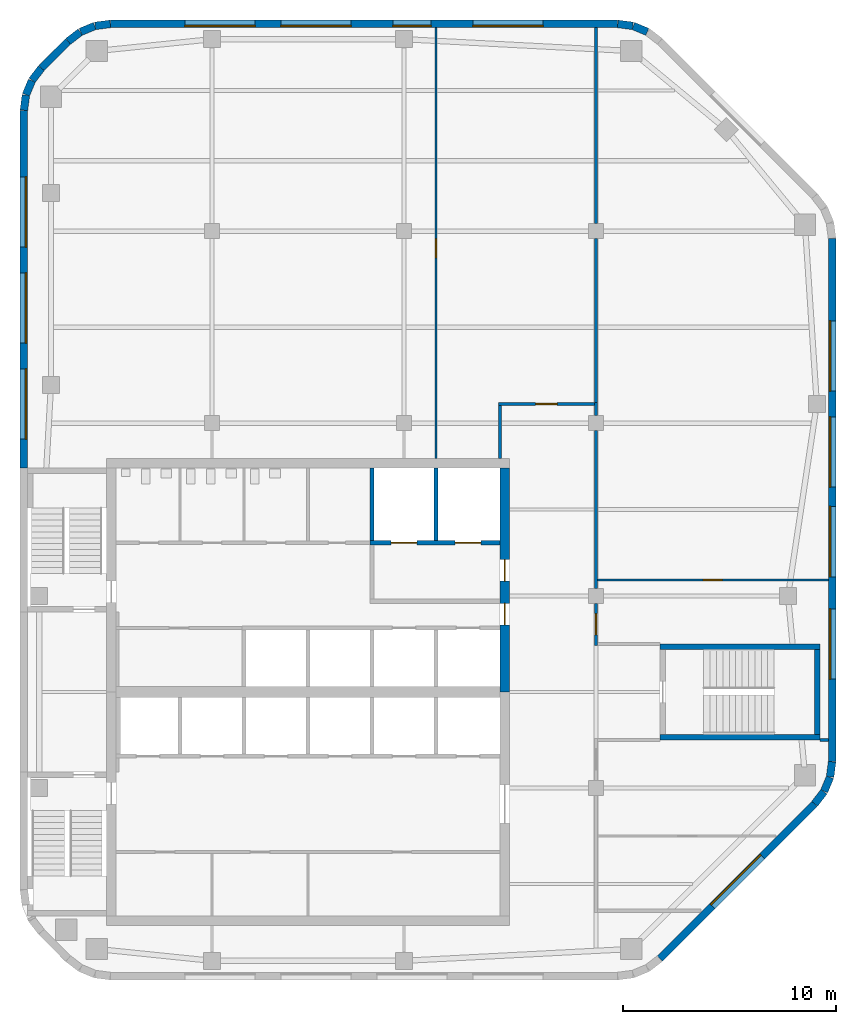
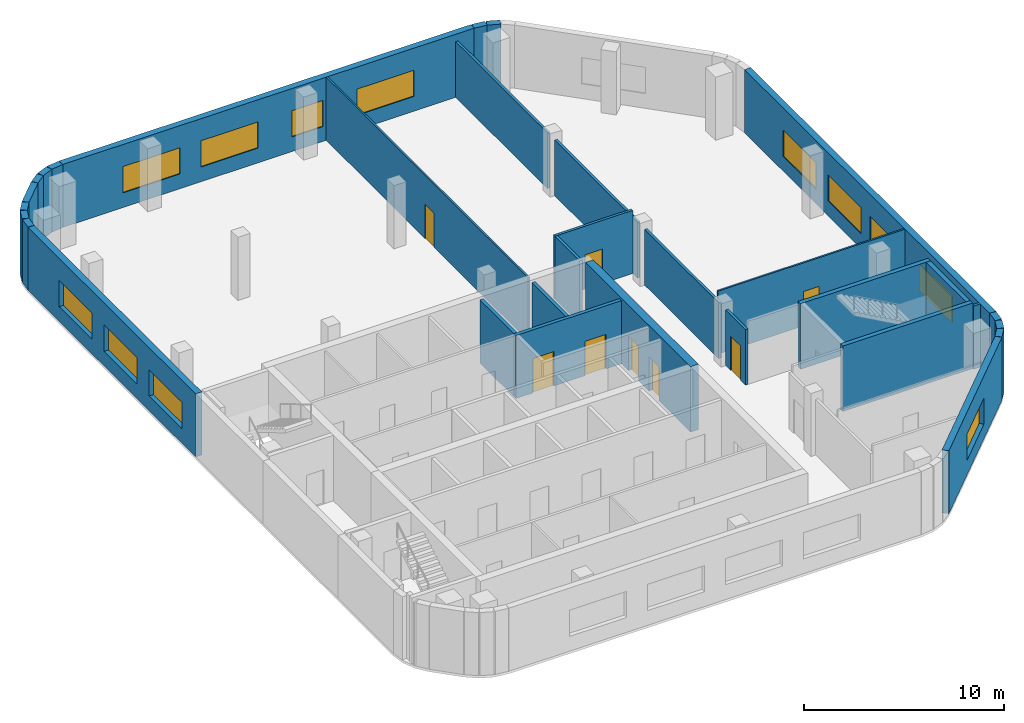
# One storey, part 4 of 7: 33 walls, 12 windows, 8 doors, 20 openings.
"""IFC4 building model written with IfcOpenShell, lengths in metres."""

from ifc_helpers import new_model, si_unit, direction, frame, frame_2d, origin, place, context, subcontext, project, spatial, rectangle, extrude, material, layer, layer_set, type_object, element, fill, save


model = new_model("IFC4")

# Units and contexts
model_context = context("Model", 3, precision=1e-05, world=origin(), true_north=direction((0.0, 1.0)))
body_context = subcontext(model_context, "Body", "Model", "MODEL_VIEW")
ifc_project = project(units=[si_unit("LENGTHUNIT", "METRE"), si_unit("AREAUNIT", "SQUARE_METRE"), si_unit("VOLUMEUNIT", "CUBIC_METRE"), si_unit("PLANEANGLEUNIT", "RADIAN"), si_unit("MASSUNIT", "GRAM", prefix="KILO")], contexts=[model_context])

# Site, building, storey
site_placement = place(None, origin())
site = spatial("IfcSite", under=ifc_project, at=site_placement, CompositionType="ELEMENT")
building_placement = place(site_placement, origin())
building = spatial("IfcBuilding", under=site, at=building_placement, Name="Cinnabar Reach Civic Tower", CompositionType="ELEMENT")
storey_placement = place(building_placement, frame((0.0, 0.0, 255.0)))
storey = spatial("IfcBuildingStorey", under=building, at=storey_placement, Name="L61", CompositionType="ELEMENT", Elevation=255.0)

# Walls
ifc_material_1 = material(Name="Facing brick with insulated backing", Category="masonry")
ifc_layer_1 = layer(ifc_material_1, 0.36)
ifc_layer_set_1 = layer_set([ifc_layer_1], Name="Brick corner wall")
wall_type_1 = type_object("IfcWallType", Name="Brick corner wall", PredefinedType="STANDARD", material=ifc_layer_set_1)
wall_1_placement = place(storey_placement, frame((37.2498, 26.2587, 0.0), z_axis=(0.0, 0.0, 1.0), x_axis=(0.608802368033, 0.793321924995, 0.0)))
element("IfcWall", 1, at=wall_1_placement, inside=storey, type_object=wall_type_1, Name="Brick corner wall", PredefinedType="STANDARD", context=body_context, shape_type="SweptSolid", body=[
    extrude(rectangle(XDim=0.7132, YDim=0.36, at=frame_2d((0.3566, 0.0))), origin(), (0.0, 0.0, 1.0), 3.85),
])
for number, where, z_axis, x_axis, name in (
    (2, (37.6952, 26.8439, 0.0), (0.0, 0.0, 1.0), (0.382702709855, 0.923871547278, 0.0), "Brick corner wall"),
    (3, (37.9739, 27.5244, 0.0), (0.0, 0.0, 1.0), (0.13055608231, 0.99144092581, 0.0), "Brick corner wall"),
    (4, (29.4061, 62.4452, 0.0), (0.0, 0.0, 1.0), (-0.923871547278, 0.382702709855, 0.0), "Brick corner wall"),
    (5, (28.7256, 62.7239, 0.0), (0.0, 0.0, 1.0), (-0.99144092581, 0.13055608231, 0.0), "Brick corner wall"),
    (6, (4.2314, 62.817, 0.0), (0.0, 0.0, 1.0), (-0.99144092581, -0.13055608231, 0.0), "Brick corner wall"),
    (7, (3.5027, 62.7181, 0.0), (0.0, 0.0, 1.0), (-0.923871547278, -0.382702709855, 0.0), "Brick corner wall"),
):
    element("IfcWall", number, at=place(storey_placement, frame(where, z_axis=z_axis, x_axis=x_axis)), inside=storey, type_object=wall_type_1, Name=name, PredefinedType="STANDARD", context=body_context, shape_type="SweptSolid", body=[
        extrude(rectangle(XDim=0.7131, YDim=0.36, at=frame_2d((0.3565, 0.0))), origin(), (0.0, 0.0, 1.0), 3.85),
    ])
for number, where, z_axis, x_axis, name in (
    (8, (2.8245, 62.434, 0.0), (0.0, 0.0, 1.0), (-0.793321924995, -0.608802368033, 0.0), "Brick corner wall"),
    (9, (1.0002, 60.7413, 0.0), (0.0, 0.0, 1.0), (-0.608802368033, -0.793321924995, 0.0), "Brick corner wall"),
):
    element("IfcWall", number, at=place(storey_placement, frame(where, z_axis=z_axis, x_axis=x_axis)), inside=storey, type_object=wall_type_1, Name=name, PredefinedType="STANDARD", context=body_context, shape_type="SweptSolid", body=[
        extrude(rectangle(XDim=0.7132, YDim=0.36, at=frame_2d((0.3566, 0.0))), origin(), (0.0, 0.0, 1.0), 3.85),
    ])
for number, where, z_axis, x_axis, name in (
    (10, (0.5548, 60.1561, 0.0), (0.0, 0.0, 1.0), (-0.382702709855, -0.923871547278, 0.0), "Brick corner wall"),
    (11, (0.2761, 59.4756, 0.0), (0.0, 0.0, 1.0), (-0.13055608231, -0.99144092581, 0.0), "Brick corner wall"),
):
    element("IfcWall", number, at=place(storey_placement, frame(where, z_axis=z_axis, x_axis=x_axis)), inside=storey, type_object=wall_type_1, Name=name, PredefinedType="STANDARD", context=body_context, shape_type="SweptSolid", body=[
        extrude(rectangle(XDim=0.7131, YDim=0.36, at=frame_2d((0.3565, 0.0))), origin(), (0.0, 0.0, 1.0), 3.85),
    ])

# Wall, opening, window
ifc_layer_2 = layer(ifc_material_1, 0.36)
ifc_layer_set_2 = layer_set([ifc_layer_2], Name="Brick pier and spandrel wall")
wall_type_2 = type_object("IfcWallType", Name="Brick pier and spandrel wall", PredefinedType="STANDARD", material=ifc_layer_set_2)
wall_2_placement = place(storey_placement, frame((30.0014, 19.006, 0.0), z_axis=(0.0, 0.0, 1.0), x_axis=(0.707106781187, 0.707106781187, 0.0)))
wall_2 = element("IfcWall", 12, at=wall_2_placement, inside=storey, type_object=wall_type_2, Name="Brick facade wall", PredefinedType="STANDARD", context=body_context, shape_type="SweptSolid", body=[
    extrude(rectangle(XDim=10.2426, YDim=0.36, at=frame_2d((5.1213, 0.0))), origin(), (0.0, 0.0, 1.0), 3.85),
])
opening_1_placement = place(wall_2_placement, frame((3.4713, 0.0, 0.9)))
opening_1 = element("IfcOpeningElement", 13, at=opening_1_placement, cuts=wall_2, Name="Opening W2215", PredefinedType="OPENING", context=body_context, shape_type="SweptSolid", body=[
    extrude(rectangle(XDim=3.3, YDim=1.6, at=frame_2d((1.65, 0.8))), frame((0.0, 0.19, 0.0), z_axis=(0.0, -1.0, 0.0), x_axis=(1.0, 0.0, 0.0)), (0.0, 0.0, 1.0), 0.38),
])
ifc_material_2 = material(Name="Clear double glazing in aluminium frame", Category="aluminium")
window_type_1 = type_object("IfcWindowType", Name="Deep-set window A", PartitioningType="SINGLE_PANEL", PredefinedType="WINDOW", material=ifc_material_2)
window_1_placement = place(opening_1_placement, origin())
window_1 = element("IfcWindow", 14, at=window_1_placement, inside=storey, type_object=window_type_1, Name="Window southeast face", OverallHeight=1.6, OverallWidth=3.3, PartitioningType="SINGLE_PANEL", PredefinedType="WINDOW", context=body_context, shape_type="SweptSolid", body=[
    extrude(rectangle(XDim=3.3, YDim=1.6, at=frame_2d((1.65, 0.8))), frame((0.0, 0.13, 0.0), z_axis=(0.0, -1.0, 0.0), x_axis=(1.0, 0.0, 0.0)), (0.0, 0.0, 1.0), 0.06),
])
fill(opening_1, window_1)

# Wall, openings, windows
wall_3_placement = place(storey_placement, frame((38.07, 28.2426, 0.0), z_axis=(0.0, 0.0, 1.0), x_axis=(0.0, 1.0, 0.0)))
wall_3 = element("IfcWall", 15, at=wall_3_placement, inside=storey, type_object=wall_type_2, Name="Brick facade wall", PredefinedType="STANDARD", context=body_context, shape_type="SweptSolid", body=[
    extrude(rectangle(XDim=24.5148, YDim=0.36, at=frame_2d((12.2574, 0.0))), origin(), (0.0, 0.0, 1.0), 3.85),
])
opening_2_placement = place(wall_3_placement, frame((3.8574, 0.0, 0.9)))
opening_2 = element("IfcOpeningElement", 16, at=opening_2_placement, cuts=wall_3, Name="Opening W2216", PredefinedType="OPENING", context=body_context, shape_type="SweptSolid", body=[
    extrude(rectangle(XDim=3.3, YDim=1.6, at=frame_2d((1.65, 0.8))), frame((0.0, 0.19, 0.0), z_axis=(0.0, -1.0, 0.0), x_axis=(1.0, 0.0, 0.0)), (0.0, 0.0, 1.0), 0.38),
])
opening_3_placement = place(wall_3_placement, frame((8.6574, 0.0, 0.9)))
opening_3 = element("IfcOpeningElement", 17, at=opening_3_placement, cuts=wall_3, Name="Opening W2217", PredefinedType="OPENING", context=body_context, shape_type="SweptSolid", body=[
    extrude(rectangle(XDim=3.3, YDim=1.6, at=frame_2d((1.65, 0.8))), frame((0.0, 0.19, 0.0), z_axis=(0.0, -1.0, 0.0), x_axis=(1.0, 0.0, 0.0)), (0.0, 0.0, 1.0), 0.38),
])
opening_4_placement = place(wall_3_placement, frame((12.8574, 0.0, 0.9)))
opening_4 = element("IfcOpeningElement", 18, at=opening_4_placement, cuts=wall_3, Name="Opening W2218", PredefinedType="OPENING", context=body_context, shape_type="SweptSolid", body=[
    extrude(rectangle(XDim=3.3, YDim=1.6, at=frame_2d((1.65, 0.8))), frame((0.0, 0.19, 0.0), z_axis=(0.0, -1.0, 0.0), x_axis=(1.0, 0.0, 0.0)), (0.0, 0.0, 1.0), 0.38),
])
opening_5_placement = place(wall_3_placement, frame((17.3574, 0.0, 0.9)))
opening_5 = element("IfcOpeningElement", 19, at=opening_5_placement, cuts=wall_3, Name="Opening W2219", PredefinedType="OPENING", context=body_context, shape_type="SweptSolid", body=[
    extrude(rectangle(XDim=3.3, YDim=1.6, at=frame_2d((1.65, 0.8))), frame((0.0, 0.19, 0.0), z_axis=(0.0, -1.0, 0.0), x_axis=(1.0, 0.0, 0.0)), (0.0, 0.0, 1.0), 0.38),
])
window_2_placement = place(opening_2_placement, origin())
window_2 = element("IfcWindow", 20, at=window_2_placement, inside=storey, type_object=window_type_1, Name="Window east face", OverallHeight=1.6, OverallWidth=3.3, PartitioningType="SINGLE_PANEL", PredefinedType="WINDOW", context=body_context, shape_type="SweptSolid", body=[
    extrude(rectangle(XDim=3.3, YDim=1.6, at=frame_2d((1.65, 0.8))), frame((0.0, 0.13, 0.0), z_axis=(0.0, -1.0, 0.0), x_axis=(1.0, 0.0, 0.0)), (0.0, 0.0, 1.0), 0.06),
])
fill(opening_2, window_2)
window_3_placement = place(opening_3_placement, origin())
window_3 = element("IfcWindow", 21, at=window_3_placement, inside=storey, type_object=window_type_1, Name="Window east face", OverallHeight=1.6, OverallWidth=3.3, PartitioningType="SINGLE_PANEL", PredefinedType="WINDOW", context=body_context, shape_type="SweptSolid", body=[
    extrude(rectangle(XDim=3.3, YDim=1.6, at=frame_2d((1.65, 0.8))), frame((0.0, 0.13, 0.0), z_axis=(0.0, -1.0, 0.0), x_axis=(1.0, 0.0, 0.0)), (0.0, 0.0, 1.0), 0.06),
])
fill(opening_3, window_3)
window_4_placement = place(opening_4_placement, origin())
window_4 = element("IfcWindow", 22, at=window_4_placement, inside=storey, type_object=window_type_1, Name="Window east face", OverallHeight=1.6, OverallWidth=3.3, PartitioningType="SINGLE_PANEL", PredefinedType="WINDOW", context=body_context, shape_type="SweptSolid", body=[
    extrude(rectangle(XDim=3.3, YDim=1.6, at=frame_2d((1.65, 0.8))), frame((0.0, 0.13, 0.0), z_axis=(0.0, -1.0, 0.0), x_axis=(1.0, 0.0, 0.0)), (0.0, 0.0, 1.0), 0.06),
])
fill(opening_4, window_4)
window_5_placement = place(opening_5_placement, origin())
window_5 = element("IfcWindow", 23, at=window_5_placement, inside=storey, type_object=window_type_1, Name="Window east face", OverallHeight=1.6, OverallWidth=3.3, PartitioningType="SINGLE_PANEL", PredefinedType="WINDOW", context=body_context, shape_type="SweptSolid", body=[
    extrude(rectangle(XDim=3.3, YDim=1.6, at=frame_2d((1.65, 0.8))), frame((0.0, 0.13, 0.0), z_axis=(0.0, -1.0, 0.0), x_axis=(1.0, 0.0, 0.0)), (0.0, 0.0, 1.0), 0.06),
])
fill(opening_5, window_5)

wall_4_placement = place(storey_placement, frame((28.0074, 62.82, 0.0), z_axis=(0.0, 0.0, 1.0), x_axis=(-1.0, 0.0, 0.0)))
wall_4 = element("IfcWall", 24, at=wall_4_placement, inside=storey, type_object=wall_type_2, Name="Brick facade wall", PredefinedType="STANDARD", context=body_context, shape_type="SweptSolid", body=[
    extrude(rectangle(XDim=23.7648, YDim=0.36, at=frame_2d((11.8824, 0.0))), origin(), (0.0, 0.0, 1.0), 3.85),
])
opening_6_placement = place(wall_4_placement, frame((3.4824, 0.0, 0.9)))
opening_6 = element("IfcOpeningElement", 25, at=opening_6_placement, cuts=wall_4, Name="Opening W2221", PredefinedType="OPENING", context=body_context, shape_type="SweptSolid", body=[
    extrude(rectangle(XDim=3.3, YDim=1.6, at=frame_2d((1.65, 0.8))), frame((0.0, 0.19, 0.0), z_axis=(0.0, -1.0, 0.0), x_axis=(1.0, 0.0, 0.0)), (0.0, 0.0, 1.0), 0.38),
])
opening_7_placement = place(wall_4_placement, frame((8.7324, 0.0, 0.9)))
opening_7 = element("IfcOpeningElement", 26, at=opening_7_placement, cuts=wall_4, Name="Opening W2222", PredefinedType="OPENING", context=body_context, shape_type="SweptSolid", body=[
    extrude(rectangle(XDim=1.8, YDim=1.6, at=frame_2d((0.9, 0.8))), frame((0.0, 0.19, 0.0), z_axis=(0.0, -1.0, 0.0), x_axis=(1.0, 0.0, 0.0)), (0.0, 0.0, 1.0), 0.38),
])
opening_8_placement = place(wall_4_placement, frame((12.4824, 0.0, 0.9)))
opening_8 = element("IfcOpeningElement", 27, at=opening_8_placement, cuts=wall_4, Name="Opening W2223", PredefinedType="OPENING", context=body_context, shape_type="SweptSolid", body=[
    extrude(rectangle(XDim=3.3, YDim=1.6, at=frame_2d((1.65, 0.8))), frame((0.0, 0.19, 0.0), z_axis=(0.0, -1.0, 0.0), x_axis=(1.0, 0.0, 0.0)), (0.0, 0.0, 1.0), 0.38),
])
opening_9_placement = place(wall_4_placement, frame((16.9824, 0.0, 0.9)))
opening_9 = element("IfcOpeningElement", 28, at=opening_9_placement, cuts=wall_4, Name="Opening W2224", PredefinedType="OPENING", context=body_context, shape_type="SweptSolid", body=[
    extrude(rectangle(XDim=3.3, YDim=1.6, at=frame_2d((1.65, 0.8))), frame((0.0, 0.19, 0.0), z_axis=(0.0, -1.0, 0.0), x_axis=(1.0, 0.0, 0.0)), (0.0, 0.0, 1.0), 0.38),
])
window_6_placement = place(opening_6_placement, origin())
window_6 = element("IfcWindow", 29, at=window_6_placement, inside=storey, type_object=window_type_1, Name="Window north face", OverallHeight=1.6, OverallWidth=3.3, PartitioningType="SINGLE_PANEL", PredefinedType="WINDOW", context=body_context, shape_type="SweptSolid", body=[
    extrude(rectangle(XDim=3.3, YDim=1.6, at=frame_2d((1.65, 0.8))), frame((0.0, 0.13, 0.0), z_axis=(0.0, -1.0, 0.0), x_axis=(1.0, 0.0, 0.0)), (0.0, 0.0, 1.0), 0.06),
])
fill(opening_6, window_6)
window_7_placement = place(opening_8_placement, origin())
window_7 = element("IfcWindow", 30, at=window_7_placement, inside=storey, type_object=window_type_1, Name="Window north face", OverallHeight=1.6, OverallWidth=3.3, PartitioningType="SINGLE_PANEL", PredefinedType="WINDOW", context=body_context, shape_type="SweptSolid", body=[
    extrude(rectangle(XDim=3.3, YDim=1.6, at=frame_2d((1.65, 0.8))), frame((0.0, 0.13, 0.0), z_axis=(0.0, -1.0, 0.0), x_axis=(1.0, 0.0, 0.0)), (0.0, 0.0, 1.0), 0.06),
])
fill(opening_8, window_7)
window_8_placement = place(opening_9_placement, origin())
window_8 = element("IfcWindow", 31, at=window_8_placement, inside=storey, type_object=window_type_1, Name="Window north face", OverallHeight=1.6, OverallWidth=3.3, PartitioningType="SINGLE_PANEL", PredefinedType="WINDOW", context=body_context, shape_type="SweptSolid", body=[
    extrude(rectangle(XDim=3.3, YDim=1.6, at=frame_2d((1.65, 0.8))), frame((0.0, 0.13, 0.0), z_axis=(0.0, -1.0, 0.0), x_axis=(1.0, 0.0, 0.0)), (0.0, 0.0, 1.0), 0.06),
])
fill(opening_9, window_8)
window_type_2 = type_object("IfcWindowType", Name="Deep-set window D", PartitioningType="SINGLE_PANEL", PredefinedType="WINDOW", material=ifc_material_2)
window_9_placement = place(opening_7_placement, origin())
window_9 = element("IfcWindow", 32, at=window_9_placement, inside=storey, type_object=window_type_2, Name="Window north face", OverallHeight=1.6, OverallWidth=1.8, PartitioningType="SINGLE_PANEL", PredefinedType="WINDOW", context=body_context, shape_type="SweptSolid", body=[
    extrude(rectangle(XDim=1.8, YDim=1.6, at=frame_2d((0.9, 0.8))), frame((0.0, 0.13, 0.0), z_axis=(0.0, -1.0, 0.0), x_axis=(1.0, 0.0, 0.0)), (0.0, 0.0, 1.0), 0.06),
])
fill(opening_7, window_9)

# Wall
wall_5_placement = place(storey_placement, frame((2.2486, 61.994, 0.0), z_axis=(0.0, 0.0, 1.0), x_axis=(-0.707106781187, -0.707106781187, 0.0)))
element("IfcWall", 33, at=wall_5_placement, inside=storey, type_object=wall_type_2, Name="Brick facade wall", PredefinedType="STANDARD", context=body_context, shape_type="SweptSolid", body=[
    extrude(rectangle(XDim=1.7573, YDim=0.36, at=frame_2d((0.8787, 0.0))), origin(), (0.0, 0.0, 1.0), 3.85),
])

# Wall, openings, windows
wall_6_placement = place(storey_placement, frame((0.18, 58.7574, 0.0), z_axis=(0.0, 0.0, 1.0), x_axis=(0.0, -1.0, 0.0)))
wall_6 = element("IfcWall", 34, at=wall_6_placement, inside=storey, type_object=wall_type_2, Name="Brick facade wall", PredefinedType="STANDARD", context=body_context, shape_type="SweptSolid", body=[
    extrude(rectangle(XDim=16.7574, YDim=0.36, at=frame_2d((8.3787, 0.0))), origin(), (0.0, 0.0, 1.0), 3.85),
])
opening_10_placement = place(wall_6_placement, frame((3.1074, 0.0, 0.9)))
opening_10 = element("IfcOpeningElement", 35, at=opening_10_placement, cuts=wall_6, Name="Opening W2225", PredefinedType="OPENING", context=body_context, shape_type="SweptSolid", body=[
    extrude(rectangle(XDim=3.3, YDim=1.6, at=frame_2d((1.65, 0.8))), frame((0.0, 0.19, 0.0), z_axis=(0.0, -1.0, 0.0), x_axis=(1.0, 0.0, 0.0)), (0.0, 0.0, 1.0), 0.38),
])
opening_11_placement = place(wall_6_placement, frame((7.6074, 0.0, 0.9)))
opening_11 = element("IfcOpeningElement", 36, at=opening_11_placement, cuts=wall_6, Name="Opening W2226", PredefinedType="OPENING", context=body_context, shape_type="SweptSolid", body=[
    extrude(rectangle(XDim=3.3, YDim=1.6, at=frame_2d((1.65, 0.8))), frame((0.0, 0.19, 0.0), z_axis=(0.0, -1.0, 0.0), x_axis=(1.0, 0.0, 0.0)), (0.0, 0.0, 1.0), 0.38),
])
opening_12_placement = place(wall_6_placement, frame((12.1074, 0.0, 0.9)))
opening_12 = element("IfcOpeningElement", 37, at=opening_12_placement, cuts=wall_6, Name="Opening W2227", PredefinedType="OPENING", context=body_context, shape_type="SweptSolid", body=[
    extrude(rectangle(XDim=3.3, YDim=1.6, at=frame_2d((1.65, 0.8))), frame((0.0, 0.19, 0.0), z_axis=(0.0, -1.0, 0.0), x_axis=(1.0, 0.0, 0.0)), (0.0, 0.0, 1.0), 0.38),
])
window_10_placement = place(opening_10_placement, origin())
window_10 = element("IfcWindow", 38, at=window_10_placement, inside=storey, type_object=window_type_1, Name="Window west face", OverallHeight=1.6, OverallWidth=3.3, PartitioningType="SINGLE_PANEL", PredefinedType="WINDOW", context=body_context, shape_type="SweptSolid", body=[
    extrude(rectangle(XDim=3.3, YDim=1.6, at=frame_2d((1.65, 0.8))), frame((0.0, 0.13, 0.0), z_axis=(0.0, -1.0, 0.0), x_axis=(1.0, 0.0, 0.0)), (0.0, 0.0, 1.0), 0.06),
])
fill(opening_10, window_10)
window_11_placement = place(opening_11_placement, origin())
window_11 = element("IfcWindow", 39, at=window_11_placement, inside=storey, type_object=window_type_1, Name="Window west face", OverallHeight=1.6, OverallWidth=3.3, PartitioningType="SINGLE_PANEL", PredefinedType="WINDOW", context=body_context, shape_type="SweptSolid", body=[
    extrude(rectangle(XDim=3.3, YDim=1.6, at=frame_2d((1.65, 0.8))), frame((0.0, 0.13, 0.0), z_axis=(0.0, -1.0, 0.0), x_axis=(1.0, 0.0, 0.0)), (0.0, 0.0, 1.0), 0.06),
])
fill(opening_11, window_11)
window_12_placement = place(opening_12_placement, origin())
window_12 = element("IfcWindow", 40, at=window_12_placement, inside=storey, type_object=window_type_1, Name="Window west face", OverallHeight=1.6, OverallWidth=3.3, PartitioningType="SINGLE_PANEL", PredefinedType="WINDOW", context=body_context, shape_type="SweptSolid", body=[
    extrude(rectangle(XDim=3.3, YDim=1.6, at=frame_2d((1.65, 0.8))), frame((0.0, 0.13, 0.0), z_axis=(0.0, -1.0, 0.0), x_axis=(1.0, 0.0, 0.0)), (0.0, 0.0, 1.0), 0.06),
])
fill(opening_12, window_12)

# Wall, openings, doors
ifc_material_3 = material(Name="Concrete C60", Category="concrete")
ifc_layer_3 = layer(ifc_material_3, 0.45)
ifc_layer_set_3 = layer_set([ifc_layer_3], Name="Core wall 450 EI 180")
wall_type_3 = type_object("IfcWallType", Name="Core wall 450 EI 180", PredefinedType="SOLIDWALL", material=ifc_layer_set_3)
wall_7_placement = place(storey_placement, frame((22.725, 31.5, 0.0), z_axis=(0.0, 0.0, 1.0), x_axis=(0.0, 1.0, 0.0)))
wall_7 = element("IfcWall", 41, at=wall_7_placement, inside=storey, type_object=wall_type_3, Name="Core wall T1 L61 E2", PredefinedType="SOLIDWALL", context=body_context, shape_type="SweptSolid", body=[
    extrude(rectangle(XDim=10.5, YDim=0.45, at=frame_2d((5.25, 0.0))), origin(), (0.0, 0.0, 1.0), 4.0),
])
opening_13_placement = place(wall_7_placement, frame((3.15, 0.0, 0.0)))
opening_13 = element("IfcOpeningElement", 42, at=opening_13_placement, cuts=wall_7, Name="Opening D5457", PredefinedType="OPENING", context=body_context, shape_type="SweptSolid", body=[
    extrude(rectangle(XDim=1.0, YDim=2.1, at=frame_2d((0.5, 1.05))), frame((0.0, 0.235, 0.0), z_axis=(0.0, -1.0, 0.0), x_axis=(1.0, 0.0, 0.0)), (0.0, 0.0, 1.0), 0.47),
])
opening_14_placement = place(wall_7_placement, frame((5.2, 0.0, 0.0)))
opening_14 = element("IfcOpeningElement", 43, at=opening_14_placement, cuts=wall_7, Name="Opening D5458", PredefinedType="OPENING", context=body_context, shape_type="SweptSolid", body=[
    extrude(rectangle(XDim=1.0, YDim=2.1, at=frame_2d((0.5, 1.05))), frame((0.0, 0.235, 0.0), z_axis=(0.0, -1.0, 0.0), x_axis=(1.0, 0.0, 0.0)), (0.0, 0.0, 1.0), 0.47),
])
ifc_material_4 = material(Name="Timber door leaf in steel frame", Category="steel")
door_type_1 = type_object("IfcDoorType", Name="Firefighting lobby door 1000 x 2100 T1", OperationType="SINGLE_SWING_LEFT", PredefinedType="DOOR", material=ifc_material_4)
door_1_placement = place(opening_14_placement, origin())
door_1 = element("IfcDoor", 44, at=door_1_placement, inside=storey, type_object=door_type_1, Name="Door D5458", OperationType="SINGLE_SWING_RIGHT", OverallHeight=2.1, OverallWidth=1.0, PredefinedType="DOOR", context=body_context, shape_type="SweptSolid", body=[
    extrude(rectangle(XDim=1.0, YDim=2.1, at=frame_2d((0.5, 1.05))), frame((0.0, 0.025, 0.0), z_axis=(0.0, -1.0, 0.0), x_axis=(1.0, 0.0, 0.0)), (0.0, 0.0, 1.0), 0.05),
])
fill(opening_14, door_1)
door_type_2 = type_object("IfcDoorType", Name="Single swing door 1000 x 2100 T1", OperationType="SINGLE_SWING_LEFT", PredefinedType="DOOR", material=ifc_material_4)
door_2_placement = place(opening_13_placement, origin())
door_2 = element("IfcDoor", 45, at=door_2_placement, inside=storey, type_object=door_type_2, Name="Door D5457", OperationType="SINGLE_SWING_RIGHT", OverallHeight=2.1, OverallWidth=1.0, PredefinedType="DOOR", context=body_context, shape_type="SweptSolid", body=[
    extrude(rectangle(XDim=1.0, YDim=2.1, at=frame_2d((0.5, 1.05))), frame((0.0, 0.025, 0.0), z_axis=(0.0, -1.0, 0.0), x_axis=(1.0, 0.0, 0.0)), (0.0, 0.0, 1.0), 0.05),
])
fill(opening_13, door_2)

# Wall, opening, door
ifc_material_5 = material(Name="Gypsum board on steel studs, double layer", Category="steel")
ifc_layer_4 = layer(ifc_material_5, 0.15)
ifc_layer_set_4 = layer_set([ifc_layer_4], Name="Corridor wall 150 T1")
wall_type_4 = type_object("IfcWallType", Name="Corridor wall 150 T1", PredefinedType="PARTITIONING", material=ifc_layer_set_4)
wall_8_placement = place(storey_placement, frame((27.0, 33.675, 0.0), z_axis=(0.0, 0.0, 1.0), x_axis=(0.0, 1.0, 0.0)))
wall_8 = element("IfcWall", 46, at=wall_8_placement, inside=storey, type_object=wall_type_4, Name="Corridor wall 20", PredefinedType="PARTITIONING", context=body_context, shape_type="SweptSolid", body=[
    extrude(rectangle(XDim=1.975, YDim=0.15, at=frame_2d((0.9875, 0.0))), origin(), (0.0, 0.0, 1.0), 3.4),
])
opening_15_placement = place(wall_8_placement, frame((0.5, 0.0, 0.0)))
opening_15 = element("IfcOpeningElement", 47, at=opening_15_placement, cuts=wall_8, Name="Opening D5468", PredefinedType="OPENING", context=body_context, shape_type="SweptSolid", body=[
    extrude(rectangle(XDim=1.0, YDim=2.1, at=frame_2d((0.5, 1.05))), frame((0.0, 0.085, 0.0), z_axis=(0.0, -1.0, 0.0), x_axis=(1.0, 0.0, 0.0)), (0.0, 0.0, 1.0), 0.17),
])
door_type_3 = type_object("IfcDoorType", Name="Tenancy entrance door 1000 x 2100 T1", OperationType="SINGLE_SWING_LEFT", PredefinedType="DOOR", material=ifc_material_4)
door_3_placement = place(opening_15_placement, frame((1.0, 0.0, 0.0), z_axis=(0.0, 0.0, 1.0), x_axis=(-1.0, 0.0, 0.0)))
door_3 = element("IfcDoor", 48, at=door_3_placement, inside=storey, type_object=door_type_3, Name="Door D5468", OperationType="SINGLE_SWING_RIGHT", OverallHeight=2.1, OverallWidth=1.0, PredefinedType="DOOR", context=body_context, shape_type="SweptSolid", body=[
    extrude(rectangle(XDim=1.0, YDim=2.1, at=frame_2d((0.5, 1.05))), frame((0.0, 0.025, 0.0), z_axis=(0.0, -1.0, 0.0), x_axis=(1.0, 0.0, 0.0)), (0.0, 0.0, 1.0), 0.05),
])
fill(opening_15, door_3)

# Walls
wall_9_placement = place(storey_placement, frame((27.0, 36.35, 0.0), z_axis=(0.0, 0.0, 1.0), x_axis=(0.0, 1.0, 0.0)))
element("IfcWall", 49, at=wall_9_placement, inside=storey, type_object=wall_type_4, Name="Corridor wall 21", PredefinedType="PARTITIONING", context=body_context, shape_type="SweptSolid", body=[
    extrude(rectangle(XDim=7.4, YDim=0.15, at=frame_2d((3.7, 0.0))), origin(), (0.0, 0.0, 1.0), 3.4),
])
wall_10_placement = place(storey_placement, frame((27.0, 44.45, 0.0), z_axis=(0.0, 0.0, 1.0), x_axis=(0.0, 1.0, 0.0)))
element("IfcWall", 50, at=wall_10_placement, inside=storey, type_object=wall_type_4, Name="Corridor wall 22", PredefinedType="PARTITIONING", context=body_context, shape_type="SweptSolid", body=[
    extrude(rectangle(XDim=0.625, YDim=0.15, at=frame_2d((0.3125, 0.0))), origin(), (0.0, 0.0, 1.0), 3.4),
])

# Wall, opening, door
wall_11_placement = place(storey_placement, frame((22.425, 45.0, 0.0), z_axis=(0.0, 0.0, 1.0), x_axis=(1.0, 0.0, 0.0)))
wall_11 = element("IfcWall", 51, at=wall_11_placement, inside=storey, type_object=wall_type_4, Name="Corridor wall 27", PredefinedType="PARTITIONING", context=body_context, shape_type="SweptSolid", body=[
    extrude(rectangle(XDim=4.5, YDim=0.15, at=frame_2d((2.25, 0.0))), origin(), (0.0, 0.0, 1.0), 3.85),
])
opening_16_placement = place(wall_11_placement, frame((1.75, 0.0, 0.0)))
opening_16 = element("IfcOpeningElement", 52, at=opening_16_placement, cuts=wall_11, Name="Opening D5472", PredefinedType="OPENING", context=body_context, shape_type="SweptSolid", body=[
    extrude(rectangle(XDim=1.0, YDim=2.1, at=frame_2d((0.5, 1.05))), frame((0.0, 0.085, 0.0), z_axis=(0.0, -1.0, 0.0), x_axis=(1.0, 0.0, 0.0)), (0.0, 0.0, 1.0), 0.17),
])
door_4_placement = place(opening_16_placement, origin())
door_4 = element("IfcDoor", 53, at=door_4_placement, inside=storey, type_object=door_type_3, Name="Door D5472", OperationType="SINGLE_SWING_RIGHT", OverallHeight=2.1, OverallWidth=1.0, PredefinedType="DOOR", context=body_context, shape_type="SweptSolid", body=[
    extrude(rectangle(XDim=1.0, YDim=2.1, at=frame_2d((0.5, 1.05))), frame((0.0, 0.025, 0.0), z_axis=(0.0, -1.0, 0.0), x_axis=(1.0, 0.0, 0.0)), (0.0, 0.0, 1.0), 0.05),
])
fill(opening_16, door_4)

# Walls
wall_12_placement = place(storey_placement, frame((22.5, 42.45, 0.0), z_axis=(0.0, 0.0, 1.0), x_axis=(0.0, 1.0, 0.0)))
element("IfcWall", 54, at=wall_12_placement, inside=storey, type_object=wall_type_4, Name="Corridor wall 32", PredefinedType="PARTITIONING", context=body_context, shape_type="SweptSolid", body=[
    extrude(rectangle(XDim=2.475, YDim=0.15, at=frame_2d((1.2375, 0.0))), origin(), (0.0, 0.0, 1.0), 3.85),
])
ifc_material_6 = material(Name="Blockwork", Category="masonry")
ifc_layer_5 = layer(ifc_material_6, 0.2)
ifc_layer_set_5 = layer_set([ifc_layer_5], Name="Lift shaft wall 200 T1")
wall_type_5 = type_object("IfcWallType", Name="Lift shaft wall 200 T1", PredefinedType="PARTITIONING", material=ifc_layer_set_5)
for number, where, z_axis, x_axis, name in (
    (55, (16.5, 38.6, 0.0), (0.0, 0.0, 1.0), (0.0, 1.0, 0.0), "Lift shaft wall 14"),
    (56, (19.5, 38.6, 0.0), (0.0, 0.0, 1.0), (0.0, 1.0, 0.0), "Lift shaft wall 15"),
):
    element("IfcWall", number, at=place(storey_placement, frame(where, z_axis=z_axis, x_axis=x_axis)), inside=storey, type_object=wall_type_5, Name=name, PredefinedType="PARTITIONING", context=body_context, shape_type="SweptSolid", body=[
        extrude(rectangle(XDim=3.4, YDim=0.2, at=frame_2d((1.7, 0.0))), origin(), (0.0, 0.0, 1.0), 3.85),
    ])

# Wall, opening, door
ifc_material_7 = material(Name="Gypsum board on steel studs", Category="steel")
ifc_layer_6 = layer(ifc_material_7, 0.1)
ifc_layer_set_6 = layer_set([ifc_layer_6], Name="Partition wall 100 T1")
wall_type_6 = type_object("IfcWallType", Name="Partition wall 100 T1", PredefinedType="PARTITIONING", material=ifc_layer_set_6)
wall_13_placement = place(storey_placement, frame((19.5, 42.45, 0.0), z_axis=(0.0, 0.0, 1.0), x_axis=(0.0, 1.0, 0.0)))
wall_13 = element("IfcWall", 57, at=wall_13_placement, inside=storey, type_object=wall_type_6, Name="Partition wall 38", PredefinedType="PARTITIONING", context=body_context, shape_type="SweptSolid", body=[
    extrude(rectangle(XDim=20.19, YDim=0.1, at=frame_2d((10.095, 0.0))), origin(), (0.0, 0.0, 1.0), 3.85),
])
opening_17_placement = place(wall_13_placement, frame((9.4, 0.0, 0.0)))
opening_17 = element("IfcOpeningElement", 58, at=opening_17_placement, cuts=wall_13, Name="Opening D5473", PredefinedType="OPENING", context=body_context, shape_type="SweptSolid", body=[
    extrude(rectangle(XDim=0.9, YDim=2.1, at=frame_2d((0.45, 1.05))), frame((0.0, 0.06, 0.0), z_axis=(0.0, -1.0, 0.0), x_axis=(1.0, 0.0, 0.0)), (0.0, 0.0, 1.0), 0.12),
])
door_type_4 = type_object("IfcDoorType", Name="Single swing door 900 x 2100 T1", OperationType="SINGLE_SWING_LEFT", PredefinedType="DOOR", material=ifc_material_4)
door_5_placement = place(opening_17_placement, frame((0.9, 0.0, 0.0), z_axis=(0.0, 0.0, 1.0), x_axis=(-1.0, 0.0, 0.0)))
door_5 = element("IfcDoor", 59, at=door_5_placement, inside=storey, type_object=door_type_4, Name="Door D5473", OperationType="SINGLE_SWING_LEFT", OverallHeight=2.1, OverallWidth=0.9, PredefinedType="DOOR", context=body_context, shape_type="SweptSolid", body=[
    extrude(rectangle(XDim=0.9, YDim=2.1, at=frame_2d((0.45, 1.05))), frame((0.0, 0.025, 0.0), z_axis=(0.0, -1.0, 0.0), x_axis=(1.0, 0.0, 0.0)), (0.0, 0.0, 1.0), 0.05),
])
fill(opening_17, door_5)

wall_14_placement = place(storey_placement, frame((27.075, 36.75, 0.0), z_axis=(0.0, 0.0, 1.0), x_axis=(1.0, 0.0, 0.0)))
wall_14 = element("IfcWall", 60, at=wall_14_placement, inside=storey, type_object=wall_type_6, Name="Partition wall 39", PredefinedType="PARTITIONING", context=body_context, shape_type="SweptSolid", body=[
    extrude(rectangle(XDim=10.815, YDim=0.1, at=frame_2d((5.4075, 0.0))), origin(), (0.0, 0.0, 1.0), 3.85),
])
opening_18_placement = place(wall_14_placement, frame((4.95, 0.0, 0.0)))
opening_18 = element("IfcOpeningElement", 61, at=opening_18_placement, cuts=wall_14, Name="Opening D5469", PredefinedType="OPENING", context=body_context, shape_type="SweptSolid", body=[
    extrude(rectangle(XDim=0.9, YDim=2.1, at=frame_2d((0.45, 1.05))), frame((0.0, 0.06, 0.0), z_axis=(0.0, -1.0, 0.0), x_axis=(1.0, 0.0, 0.0)), (0.0, 0.0, 1.0), 0.12),
])
door_6_placement = place(opening_18_placement, frame((0.9, 0.0, 0.0), z_axis=(0.0, 0.0, 1.0), x_axis=(-1.0, 0.0, 0.0)))
door_6 = element("IfcDoor", 62, at=door_6_placement, inside=storey, type_object=door_type_4, Name="Door D5469", OperationType="SINGLE_SWING_RIGHT", OverallHeight=2.1, OverallWidth=0.9, PredefinedType="DOOR", context=body_context, shape_type="SweptSolid", body=[
    extrude(rectangle(XDim=0.9, YDim=2.1, at=frame_2d((0.45, 1.05))), frame((0.0, 0.025, 0.0), z_axis=(0.0, -1.0, 0.0), x_axis=(1.0, 0.0, 0.0)), (0.0, 0.0, 1.0), 0.05),
])
fill(opening_18, door_6)

# Wall, openings, doors
ifc_material_8 = material(Name="Concrete C40", Category="concrete")
ifc_layer_7 = layer(ifc_material_8, 0.2)
ifc_layer_set_7 = layer_set([ifc_layer_7], Name="Refuge compartment wall 200 T1")
wall_type_7 = type_object("IfcWallType", Name="Refuge compartment wall 200 T1", PredefinedType="PARTITIONING", material=ifc_layer_set_7)
wall_15_placement = place(storey_placement, frame((16.4, 38.5, 0.0), z_axis=(0.0, 0.0, 1.0), x_axis=(1.0, 0.0, 0.0)))
wall_15 = element("IfcWall", 63, at=wall_15_placement, inside=storey, type_object=wall_type_7, Name="Refuge compartment wall 2", PredefinedType="PARTITIONING", context=body_context, shape_type="SweptSolid", body=[
    extrude(rectangle(XDim=6.1, YDim=0.2, at=frame_2d((3.05, 0.0))), origin(), (0.0, 0.0, 1.0), 3.85),
])
opening_19_placement = place(wall_15_placement, frame((1.0, 0.0, 0.0)))
opening_19 = element("IfcOpeningElement", 64, at=opening_19_placement, cuts=wall_15, Name="Opening D5454", PredefinedType="OPENING", context=body_context, shape_type="SweptSolid", body=[
    extrude(rectangle(XDim=1.2, YDim=2.1, at=frame_2d((0.6, 1.05))), frame((0.0, 0.11, 0.0), z_axis=(0.0, -1.0, 0.0), x_axis=(1.0, 0.0, 0.0)), (0.0, 0.0, 1.0), 0.22),
])
opening_20_placement = place(wall_15_placement, frame((4.0, 0.0, 0.0)))
opening_20 = element("IfcOpeningElement", 65, at=opening_20_placement, cuts=wall_15, Name="Opening D5455", PredefinedType="OPENING", context=body_context, shape_type="SweptSolid", body=[
    extrude(rectangle(XDim=1.2, YDim=2.1, at=frame_2d((0.6, 1.05))), frame((0.0, 0.11, 0.0), z_axis=(0.0, -1.0, 0.0), x_axis=(1.0, 0.0, 0.0)), (0.0, 0.0, 1.0), 0.22),
])
ifc_material_9 = material(Name="Stainless steel sliding door", Category="steel")
door_type_5 = type_object("IfcDoorType", Name="Firefighting lift landing door 1200 x 2100 T1", OperationType="SLIDING_TO_LEFT", PredefinedType="DOOR", material=ifc_material_9)
door_7_placement = place(opening_19_placement, origin())
door_7 = element("IfcDoor", 66, at=door_7_placement, inside=storey, type_object=door_type_5, Name="Lift landing door FF1 L61", OperationType="SLIDING_TO_LEFT", OverallHeight=2.1, OverallWidth=1.2, PredefinedType="DOOR", context=body_context, shape_type="SweptSolid", body=[
    extrude(rectangle(XDim=1.2, YDim=2.1, at=frame_2d((0.6, 1.05))), frame((0.0, 0.025, 0.0), z_axis=(0.0, -1.0, 0.0), x_axis=(1.0, 0.0, 0.0)), (0.0, 0.0, 1.0), 0.05),
])
fill(opening_19, door_7)
door_8_placement = place(opening_20_placement, origin())
door_8 = element("IfcDoor", 67, at=door_8_placement, inside=storey, type_object=door_type_5, Name="Lift landing door FF2 L61", OperationType="SLIDING_TO_LEFT", OverallHeight=2.1, OverallWidth=1.2, PredefinedType="DOOR", context=body_context, shape_type="SweptSolid", body=[
    extrude(rectangle(XDim=1.2, YDim=2.1, at=frame_2d((0.6, 1.05))), frame((0.0, 0.025, 0.0), z_axis=(0.0, -1.0, 0.0), x_axis=(1.0, 0.0, 0.0)), (0.0, 0.0, 1.0), 0.05),
])
fill(opening_20, door_8)

# Walls
ifc_layer_8 = layer(ifc_material_3, 0.25)
ifc_layer_set_8 = layer_set([ifc_layer_8], Name="Stair shaft wall 250 EI 120")
wall_type_8 = type_object("IfcWallType", Name="Stair shaft wall 250 EI 120", PredefinedType="SOLIDWALL", material=ifc_layer_set_8)
for number, where, z_axis, x_axis, name in (
    (68, (30.0, 29.375, 0.0), (0.0, 0.0, 1.0), (1.0, 0.0, 0.0), "Stair shaft wall T1-S3 L61"),
    (69, (37.5, 33.625, 0.0), (0.0, 0.0, 1.0), (-1.0, 0.0, 0.0), "Stair shaft wall T1-S3 L61"),
):
    element("IfcWall", number, at=place(storey_placement, frame(where, z_axis=z_axis, x_axis=x_axis)), inside=storey, type_object=wall_type_8, Name=name, PredefinedType="SOLIDWALL", context=body_context, shape_type="SweptSolid", body=[
        extrude(rectangle(XDim=7.5, YDim=0.25, at=frame_2d((3.75, 0.0))), origin(), (0.0, 0.0, 1.0), 4.0),
    ])
wall_16_placement = place(storey_placement, frame((37.375, 29.5, 0.0), z_axis=(0.0, 0.0, 1.0), x_axis=(0.0, 1.0, 0.0)))
element("IfcWall", 70, at=wall_16_placement, inside=storey, type_object=wall_type_8, Name="Stair shaft wall T1-S3 L61", PredefinedType="SOLIDWALL", context=body_context, shape_type="SweptSolid", body=[
    extrude(rectangle(XDim=4.0, YDim=0.25, at=frame_2d((2.0, 0.0))), origin(), (0.0, 0.0, 1.0), 4.0),
])
ifc_layer_9 = layer(ifc_material_5, 0.15)
ifc_layer_set_9 = layer_set([ifc_layer_9], Name="Tenancy separating wall 150 T1")
wall_type_9 = type_object("IfcWallType", Name="Tenancy separating wall 150 T1", PredefinedType="PARTITIONING", material=ifc_layer_set_9)
wall_17_placement = place(storey_placement, frame((27.0, 53.45, 0.0), z_axis=(0.0, 0.0, 1.0), x_axis=(0.0, 1.0, 0.0)))
element("IfcWall", 71, at=wall_17_placement, inside=storey, type_object=wall_type_9, Name="Tenancy separating wall 35", PredefinedType="PARTITIONING", context=body_context, shape_type="SweptSolid", body=[
    extrude(rectangle(XDim=9.19, YDim=0.15, at=frame_2d((4.595, 0.0))), origin(), (0.0, 0.0, 1.0), 3.4),
])
wall_18_placement = place(storey_placement, frame((27.0, 45.075, 0.0), z_axis=(0.0, 0.0, 1.0), x_axis=(0.0, 1.0, 0.0)))
element("IfcWall", 72, at=wall_18_placement, inside=storey, type_object=wall_type_9, Name="Tenancy separating wall 36", PredefinedType="PARTITIONING", context=body_context, shape_type="SweptSolid", body=[
    extrude(rectangle(XDim=7.675, YDim=0.15, at=frame_2d((3.8375, 0.0))), origin(), (0.0, 0.0, 1.0), 3.4),
])
wall_19_placement = place(storey_placement, frame((37.5, 29.25, 0.0), z_axis=(0.0, 0.0, 1.0), x_axis=(1.0, 0.0, 0.0)))
element("IfcWall", 73, at=wall_19_placement, inside=storey, type_object=wall_type_9, Name="Tenancy separating wall 37", PredefinedType="PARTITIONING", context=body_context, shape_type="SweptSolid", body=[
    extrude(rectangle(XDim=0.39, YDim=0.15, at=frame_2d((0.195, 0.0))), origin(), (0.0, 0.0, 1.0), 3.85),
])

save(model, "model.ifc")
